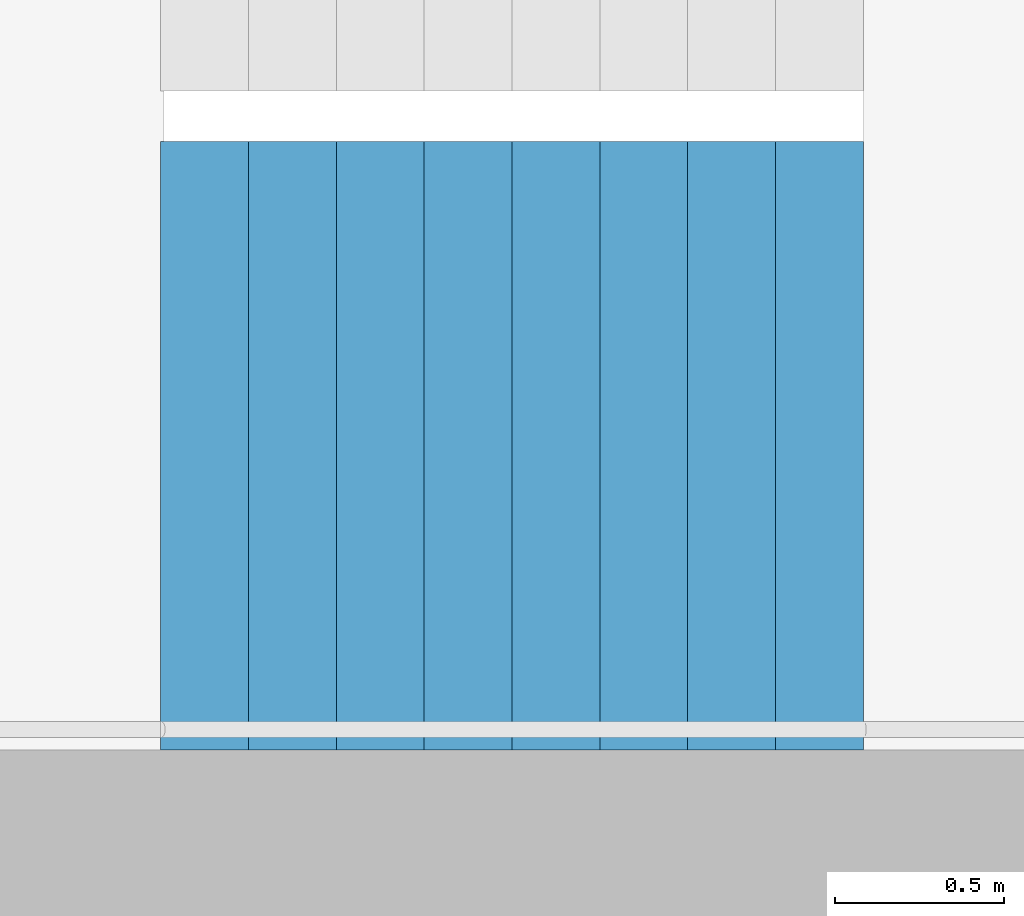
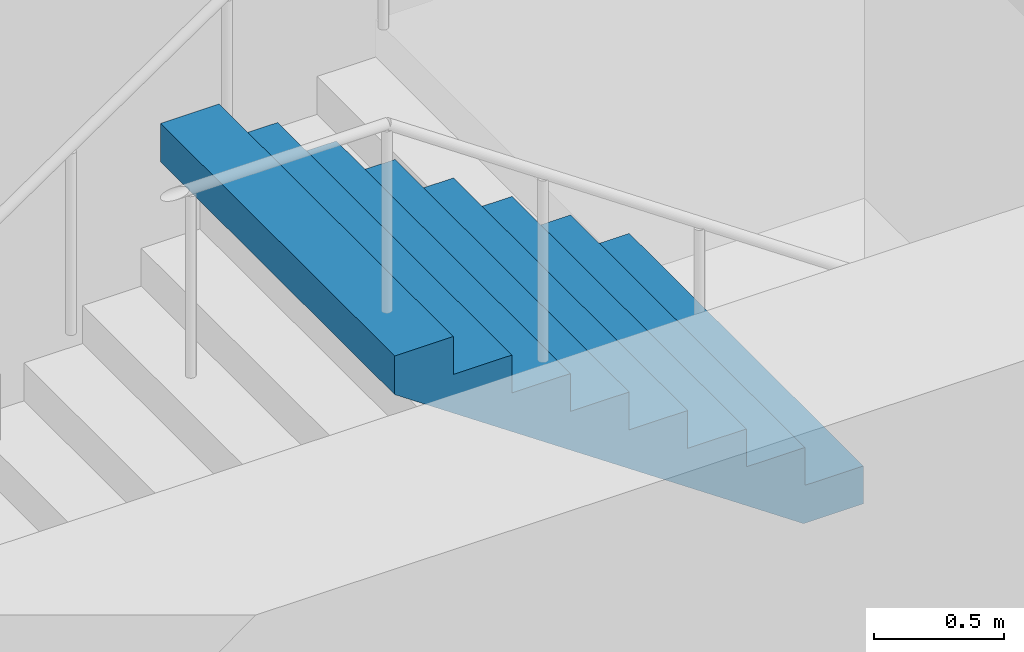
# One storey, part 21 of 25: 1 stair flight, 1 element without a shape of its own.
"""IFC4 building model written with IfcOpenShell, lengths in metres."""

from ifc_helpers import new_model, si_unit, direction, frame, origin, place, context, subcontext, project, spatial, triangles, material, type_object, element, aggregate, save


model = new_model("IFC4")

# Units and contexts
model_context = context("Model", 3, precision=1e-05, world=origin(), true_north=direction((0.0, 1.0)))
body_context = subcontext(model_context, "Body", "Model", "MODEL_VIEW")
ifc_project = project(units=[si_unit("LENGTHUNIT", "METRE"), si_unit("AREAUNIT", "SQUARE_METRE"), si_unit("VOLUMEUNIT", "CUBIC_METRE"), si_unit("PLANEANGLEUNIT", "RADIAN"), si_unit("MASSUNIT", "GRAM", prefix="KILO")], contexts=[model_context])

# Site, building, storey
site_placement = place(None, origin())
site = spatial("IfcSite", under=ifc_project, at=site_placement, CompositionType="ELEMENT")
building_placement = place(site_placement, origin())
building = spatial("IfcBuilding", under=site, at=building_placement, Name="Hakoniwa Tower and Hamabe Station Hall", CompositionType="ELEMENT")
storey_placement = place(building_placement, frame((0.0, 0.0, 186.60009765625)))
storey = spatial("IfcBuildingStorey", under=building, at=storey_placement, Name="L52", CompositionType="ELEMENT", Elevation=186.60009765625)

# Stair, stair flight
ifc_material_1 = material(Name="Concrete C40", Category="concrete")
stair_type = type_object("IfcStairType", Name="ESCAPE STAIR 1800", PredefinedType="HALF_TURN_STAIR", material=ifc_material_1)
stair_placement = place(storey_placement, origin())
stair = element("IfcStair", 1, at=stair_placement, inside=storey, type_object=stair_type, Name="Escape stair ST-4 L52", PredefinedType="HALF_TURN_STAIR")
ifc_material_2 = material(Name="Concrete C40", Category="concrete")
stair_flight_type = type_object("IfcStairFlightType", Name="STAIR FLIGHT 1800", PredefinedType="STRAIGHT", material=ifc_material_2)
stair_flight_placement = place(storey_placement, frame((25.47998046875, -6.60009765625, 1.599853515625), z_axis=(0.0, 0.0, 1.0), x_axis=(-1.0, 0.0, 0.0)))
stair_flight = element("IfcStairFlight", 2, at=stair_flight_placement, type_object=stair_flight_type, Name="ST-4 flight 2", NumberOfRisers=9, NumberOfTreads=8, PredefinedType="STRAIGHT", RiserHeight=0.177777778, TreadLength=0.26, context=body_context, shape_type="Tessellation", body=[
    triangles([(0.0, 0.89990234375, 0.0), (0.260009765625, 0.89990234375, 0.0), (0.265625, 0.89990234375, 0.0), (0.52001953125, 0.89990234375, 0.174072265625), (0.780029296875, 0.89990234375, 0.351806640625), (1.0400390625, 0.89990234375, 0.529541015625), (1.300048828125, 0.89990234375, 0.707275390625), (1.56005859375, 0.89990234375, 0.885009765625), (1.820068359375, 0.89990234375, 1.062744140625), (2.080078125, 0.89990234375, 1.24072265625), (2.080078125, 0.89990234375, 1.422119140625), (1.820068359375, 0.89990234375, 1.422119140625), (1.820068359375, 0.89990234375, 1.244384765625), (1.56005859375, 0.89990234375, 1.244384765625), (1.56005859375, 0.89990234375, 1.066650390625), (1.300048828125, 0.89990234375, 1.066650390625), (1.300048828125, 0.89990234375, 0.888916015625), (1.0400390625, 0.89990234375, 0.888916015625), (1.0400390625, 0.89990234375, 0.711181640625), (0.780029296875, 0.89990234375, 0.711181640625), (0.780029296875, 0.89990234375, 0.533447265625), (0.52001953125, 0.89990234375, 0.533447265625), (0.52001953125, 0.89990234375, 0.35546875), (0.265625, 0.89990234375, 0.35546875), (0.260009765625, 0.89990234375, 0.35546875), (0.260009765625, 0.89990234375, 0.177734375), (0.0, 0.89990234375, 0.177734375), (0.0, 0.06005859375, 0.0), (0.260009765625, 0.06005859375, 0.0), (0.265625, 0.06005859375, 0.0), (0.52001953125, 0.06005859375, 0.174072265625), (0.780029296875, 0.06005859375, 0.351806640625), (1.0400390625, 0.06005859375, 0.529541015625), (1.300048828125, 0.06005859375, 0.707275390625), (1.56005859375, 0.06005859375, 0.885009765625), (1.820068359375, 0.06005859375, 1.062744140625), (2.080078125, 0.06005859375, 1.24072265625), (2.080078125, 0.06005859375, 1.422119140625), (1.820068359375, 0.06005859375, 1.422119140625), (1.820068359375, 0.06005859375, 1.244384765625), (1.56005859375, 0.06005859375, 1.244384765625), (1.56005859375, 0.06005859375, 1.066650390625), (1.300048828125, 0.06005859375, 1.066650390625), (1.300048828125, 0.06005859375, 0.888916015625), (1.0400390625, 0.06005859375, 0.888916015625), (1.0400390625, 0.06005859375, 0.711181640625), (0.780029296875, 0.06005859375, 0.711181640625), (0.780029296875, 0.06005859375, 0.533447265625), (0.52001953125, 0.06005859375, 0.533447265625), (0.52001953125, 0.06005859375, 0.35546875), (0.265625, 0.06005859375, 0.35546875), (0.260009765625, 0.06005859375, 0.35546875), (0.260009765625, 0.06005859375, 0.177734375), (0.0, 0.06005859375, 0.177734375), (0.0, 0.04296875, 0.0), (0.260009765625, 0.04296875, 0.0), (0.265625, 0.04296875, 0.0), (0.52001953125, 0.04296875, 0.174072265625), (0.780029296875, 0.04296875, 0.351806640625), (1.0400390625, 0.04296875, 0.529541015625), (1.300048828125, 0.04296875, 0.707275390625), (1.56005859375, 0.04296875, 0.885009765625), (1.820068359375, 0.04296875, 1.062744140625), (2.080078125, 0.04296875, 1.24072265625), (2.080078125, 0.04296875, 1.422119140625), (1.820068359375, 0.04296875, 1.422119140625), (1.820068359375, 0.04296875, 1.244384765625), (1.56005859375, 0.04296875, 1.244384765625), (1.56005859375, 0.04296875, 1.066650390625), (1.300048828125, 0.04296875, 1.066650390625), (1.300048828125, 0.04296875, 0.888916015625), (1.0400390625, 0.04296875, 0.888916015625), (1.0400390625, 0.04296875, 0.711181640625), (0.780029296875, 0.04296875, 0.711181640625), (0.780029296875, 0.04296875, 0.533447265625), (0.52001953125, 0.04296875, 0.533447265625), (0.52001953125, 0.04296875, 0.35546875), (0.265625, 0.04296875, 0.35546875), (0.260009765625, 0.04296875, 0.35546875), (0.260009765625, 0.04296875, 0.177734375), (0.0, 0.04296875, 0.177734375), (0.0, 0.025634765625, 0.0), (0.260009765625, 0.025634765625, 0.0), (0.265625, 0.025634765625, 0.0), (0.52001953125, 0.025634765625, 0.174072265625), (0.780029296875, 0.025634765625, 0.351806640625), (1.0400390625, 0.025634765625, 0.529541015625), (1.300048828125, 0.025634765625, 0.707275390625), (1.56005859375, 0.025634765625, 0.885009765625), (1.820068359375, 0.025634765625, 1.062744140625), (2.080078125, 0.025634765625, 1.24072265625), (2.080078125, 0.025634765625, 1.422119140625), (1.820068359375, 0.025634765625, 1.422119140625), (1.820068359375, 0.025634765625, 1.244384765625), (1.56005859375, 0.025634765625, 1.244384765625), (1.56005859375, 0.025634765625, 1.066650390625), (1.300048828125, 0.025634765625, 1.066650390625), (1.300048828125, 0.025634765625, 0.888916015625), (1.0400390625, 0.025634765625, 0.888916015625), (1.0400390625, 0.025634765625, 0.711181640625), (0.780029296875, 0.025634765625, 0.711181640625), (0.780029296875, 0.025634765625, 0.533447265625), (0.52001953125, 0.025634765625, 0.533447265625), (0.52001953125, 0.025634765625, 0.35546875), (0.265625, 0.025634765625, 0.35546875), (0.260009765625, 0.025634765625, 0.35546875), (0.260009765625, 0.025634765625, 0.177734375), (0.0, 0.025634765625, 0.177734375), (0.0, 0.008544921875, 0.0), (0.260009765625, 0.008544921875, 0.0), (0.265625, 0.008544921875, 0.0), (0.52001953125, 0.008544921875, 0.174072265625), (0.780029296875, 0.008544921875, 0.351806640625), (1.0400390625, 0.008544921875, 0.529541015625), (1.300048828125, 0.008544921875, 0.707275390625), (1.56005859375, 0.008544921875, 0.885009765625), (1.820068359375, 0.008544921875, 1.062744140625), (2.080078125, 0.008544921875, 1.24072265625), (2.080078125, 0.008544921875, 1.422119140625), (1.820068359375, 0.008544921875, 1.422119140625), (1.820068359375, 0.008544921875, 1.244384765625), (1.56005859375, 0.008544921875, 1.244384765625), (1.56005859375, 0.008544921875, 1.066650390625), (1.300048828125, 0.008544921875, 1.066650390625), (1.300048828125, 0.008544921875, 0.888916015625), (1.0400390625, 0.008544921875, 0.888916015625), (1.0400390625, 0.008544921875, 0.711181640625), (0.780029296875, 0.008544921875, 0.711181640625), (0.780029296875, 0.008544921875, 0.533447265625), (0.52001953125, 0.008544921875, 0.533447265625), (0.52001953125, 0.008544921875, 0.35546875), (0.265625, 0.008544921875, 0.35546875), (0.260009765625, 0.008544921875, 0.35546875), (0.260009765625, 0.008544921875, 0.177734375), (0.0, 0.008544921875, 0.177734375), (0.0, -0.008544921875, 0.0), (0.260009765625, -0.008544921875, 0.0), (0.265625, -0.008544921875, 0.0), (0.52001953125, -0.008544921875, 0.174072265625), (0.780029296875, -0.008544921875, 0.351806640625), (1.0400390625, -0.008544921875, 0.529541015625), (1.300048828125, -0.008544921875, 0.707275390625), (1.56005859375, -0.008544921875, 0.885009765625), (1.820068359375, -0.008544921875, 1.062744140625), (2.080078125, -0.008544921875, 1.24072265625), (2.080078125, -0.008544921875, 1.422119140625), (1.820068359375, -0.008544921875, 1.422119140625), (1.820068359375, -0.008544921875, 1.244384765625), (1.56005859375, -0.008544921875, 1.244384765625), (1.56005859375, -0.008544921875, 1.066650390625), (1.300048828125, -0.008544921875, 1.066650390625), (1.300048828125, -0.008544921875, 0.888916015625), (1.0400390625, -0.008544921875, 0.888916015625), (1.0400390625, -0.008544921875, 0.711181640625), (0.780029296875, -0.008544921875, 0.711181640625), (0.780029296875, -0.008544921875, 0.533447265625), (0.52001953125, -0.008544921875, 0.533447265625), (0.52001953125, -0.008544921875, 0.35546875), (0.265625, -0.008544921875, 0.35546875), (0.260009765625, -0.008544921875, 0.35546875), (0.260009765625, -0.008544921875, 0.177734375), (0.0, -0.008544921875, 0.177734375), (0.0, -0.025634765625, 0.0), (0.260009765625, -0.025634765625, 0.0), (0.265625, -0.025634765625, 0.0), (0.52001953125, -0.025634765625, 0.174072265625), (0.780029296875, -0.025634765625, 0.351806640625), (1.0400390625, -0.025634765625, 0.529541015625), (1.300048828125, -0.025634765625, 0.707275390625), (1.56005859375, -0.025634765625, 0.885009765625), (1.820068359375, -0.025634765625, 1.062744140625), (2.080078125, -0.025634765625, 1.24072265625), (2.080078125, -0.025634765625, 1.422119140625), (1.820068359375, -0.025634765625, 1.422119140625), (1.820068359375, -0.025634765625, 1.244384765625), (1.56005859375, -0.025634765625, 1.244384765625), (1.56005859375, -0.025634765625, 1.066650390625), (1.300048828125, -0.025634765625, 1.066650390625), (1.300048828125, -0.025634765625, 0.888916015625), (1.0400390625, -0.025634765625, 0.888916015625), (1.0400390625, -0.025634765625, 0.711181640625), (0.780029296875, -0.025634765625, 0.711181640625), (0.780029296875, -0.025634765625, 0.533447265625), (0.52001953125, -0.025634765625, 0.533447265625), (0.52001953125, -0.025634765625, 0.35546875), (0.265625, -0.025634765625, 0.35546875), (0.260009765625, -0.025634765625, 0.35546875), (0.260009765625, -0.025634765625, 0.177734375), (0.0, -0.025634765625, 0.177734375), (0.0, -0.04296875, 0.0), (0.260009765625, -0.04296875, 0.0), (0.265625, -0.04296875, 0.0), (0.52001953125, -0.04296875, 0.174072265625), (0.780029296875, -0.04296875, 0.351806640625), (1.0400390625, -0.04296875, 0.529541015625), (1.300048828125, -0.04296875, 0.707275390625), (1.56005859375, -0.04296875, 0.885009765625), (1.820068359375, -0.04296875, 1.062744140625), (2.080078125, -0.04296875, 1.24072265625), (2.080078125, -0.04296875, 1.422119140625), (1.820068359375, -0.04296875, 1.422119140625), (1.820068359375, -0.04296875, 1.244384765625), (1.56005859375, -0.04296875, 1.244384765625), (1.56005859375, -0.04296875, 1.066650390625), (1.300048828125, -0.04296875, 1.066650390625), (1.300048828125, -0.04296875, 0.888916015625), (1.0400390625, -0.04296875, 0.888916015625), (1.0400390625, -0.04296875, 0.711181640625), (0.780029296875, -0.04296875, 0.711181640625), (0.780029296875, -0.04296875, 0.533447265625), (0.52001953125, -0.04296875, 0.533447265625), (0.52001953125, -0.04296875, 0.35546875), (0.265625, -0.04296875, 0.35546875), (0.260009765625, -0.04296875, 0.35546875), (0.260009765625, -0.04296875, 0.177734375), (0.0, -0.04296875, 0.177734375), (0.0, -0.06005859375, 0.0), (0.260009765625, -0.06005859375, 0.0), (0.265625, -0.06005859375, 0.0), (0.52001953125, -0.06005859375, 0.174072265625), (0.780029296875, -0.06005859375, 0.351806640625), (1.0400390625, -0.06005859375, 0.529541015625), (1.300048828125, -0.06005859375, 0.707275390625), (1.56005859375, -0.06005859375, 0.885009765625), (1.820068359375, -0.06005859375, 1.062744140625), (2.080078125, -0.06005859375, 1.24072265625), (2.080078125, -0.06005859375, 1.422119140625), (1.820068359375, -0.06005859375, 1.422119140625), (1.820068359375, -0.06005859375, 1.244384765625), (1.56005859375, -0.06005859375, 1.244384765625), (1.56005859375, -0.06005859375, 1.066650390625), (1.300048828125, -0.06005859375, 1.066650390625), (1.300048828125, -0.06005859375, 0.888916015625), (1.0400390625, -0.06005859375, 0.888916015625), (1.0400390625, -0.06005859375, 0.711181640625), (0.780029296875, -0.06005859375, 0.711181640625), (0.780029296875, -0.06005859375, 0.533447265625), (0.52001953125, -0.06005859375, 0.533447265625), (0.52001953125, -0.06005859375, 0.35546875), (0.265625, -0.06005859375, 0.35546875), (0.260009765625, -0.06005859375, 0.35546875), (0.260009765625, -0.06005859375, 0.177734375), (0.0, -0.06005859375, 0.177734375), (0.0, -0.89990234375, 0.0), (0.260009765625, -0.89990234375, 0.0), (0.265625, -0.89990234375, 0.0), (0.52001953125, -0.89990234375, 0.174072265625), (0.780029296875, -0.89990234375, 0.351806640625), (1.0400390625, -0.89990234375, 0.529541015625), (1.300048828125, -0.89990234375, 0.707275390625), (1.56005859375, -0.89990234375, 0.885009765625), (1.820068359375, -0.89990234375, 1.062744140625), (2.080078125, -0.89990234375, 1.24072265625), (2.080078125, -0.89990234375, 1.422119140625), (1.820068359375, -0.89990234375, 1.422119140625), (1.820068359375, -0.89990234375, 1.244384765625), (1.56005859375, -0.89990234375, 1.244384765625), (1.56005859375, -0.89990234375, 1.066650390625), (1.300048828125, -0.89990234375, 1.066650390625), (1.300048828125, -0.89990234375, 0.888916015625), (1.0400390625, -0.89990234375, 0.888916015625), (1.0400390625, -0.89990234375, 0.711181640625), (0.780029296875, -0.89990234375, 0.711181640625), (0.780029296875, -0.89990234375, 0.533447265625), (0.52001953125, -0.89990234375, 0.533447265625), (0.52001953125, -0.89990234375, 0.35546875), (0.265625, -0.89990234375, 0.35546875), (0.260009765625, -0.89990234375, 0.35546875), (0.260009765625, -0.89990234375, 0.177734375), (0.0, -0.89990234375, 0.177734375)], [[2, 27, 26], [245, 269, 270], [2, 1, 27], [245, 270, 244], [3, 25, 24], [246, 267, 268], [3, 26, 25], [246, 268, 269], [3, 2, 26], [246, 269, 245], [4, 24, 23], [247, 266, 267], [4, 3, 24], [247, 267, 246], [5, 22, 21], [248, 264, 265], [5, 23, 22], [248, 265, 266], [5, 4, 23], [248, 266, 247], [6, 20, 19], [249, 262, 263], [6, 21, 20], [249, 263, 264], [6, 5, 21], [249, 264, 248], [7, 18, 17], [250, 260, 261], [7, 19, 18], [250, 261, 262], [7, 6, 19], [250, 262, 249], [8, 16, 15], [251, 258, 259], [8, 17, 16], [251, 259, 260], [8, 7, 17], [251, 260, 250], [9, 14, 13], [252, 256, 257], [9, 15, 14], [252, 257, 258], [9, 8, 15], [252, 258, 251], [10, 12, 11], [253, 254, 255], [10, 13, 12], [253, 255, 256], [10, 9, 13], [253, 256, 252], [1, 2, 29], [1, 29, 28], [28, 29, 56], [28, 56, 55], [55, 56, 83], [55, 83, 82], [82, 83, 110], [82, 110, 109], [109, 110, 137], [109, 137, 136], [136, 137, 164], [136, 164, 163], [163, 164, 191], [163, 191, 190], [190, 191, 218], [190, 218, 217], [217, 218, 245], [217, 245, 244], [2, 3, 30], [2, 30, 29], [29, 30, 57], [29, 57, 56], [56, 57, 84], [56, 84, 83], [83, 84, 111], [83, 111, 110], [110, 111, 138], [110, 138, 137], [137, 138, 165], [137, 165, 164], [164, 165, 192], [164, 192, 191], [191, 192, 219], [191, 219, 218], [218, 219, 246], [218, 246, 245], [3, 4, 31], [3, 31, 30], [30, 31, 58], [30, 58, 57], [57, 58, 85], [57, 85, 84], [84, 85, 112], [84, 112, 111], [111, 112, 139], [111, 139, 138], [138, 139, 166], [138, 166, 165], [165, 166, 193], [165, 193, 192], [192, 193, 220], [192, 220, 219], [219, 220, 247], [219, 247, 246], [4, 5, 32], [4, 32, 31], [31, 32, 59], [31, 59, 58], [58, 59, 86], [58, 86, 85], [85, 86, 113], [85, 113, 112], [112, 113, 140], [112, 140, 139], [139, 140, 167], [139, 167, 166], [166, 167, 194], [166, 194, 193], [193, 194, 221], [193, 221, 220], [220, 221, 248], [220, 248, 247], [5, 6, 33], [5, 33, 32], [32, 33, 60], [32, 60, 59], [59, 60, 87], [59, 87, 86], [86, 87, 114], [86, 114, 113], [113, 114, 141], [113, 141, 140], [140, 141, 168], [140, 168, 167], [167, 168, 195], [167, 195, 194], [194, 195, 222], [194, 222, 221], [221, 222, 249], [221, 249, 248], [6, 7, 34], [6, 34, 33], [33, 34, 61], [33, 61, 60], [60, 61, 88], [60, 88, 87], [87, 88, 115], [87, 115, 114], [114, 115, 142], [114, 142, 141], [141, 142, 169], [141, 169, 168], [168, 169, 196], [168, 196, 195], [195, 196, 223], [195, 223, 222], [222, 223, 250], [222, 250, 249], [7, 8, 35], [7, 35, 34], [34, 35, 62], [34, 62, 61], [61, 62, 89], [61, 89, 88], [88, 89, 116], [88, 116, 115], [115, 116, 143], [115, 143, 142], [142, 143, 170], [142, 170, 169], [169, 170, 197], [169, 197, 196], [196, 197, 224], [196, 224, 223], [223, 224, 251], [223, 251, 250], [8, 9, 36], [8, 36, 35], [35, 36, 63], [35, 63, 62], [62, 63, 90], [62, 90, 89], [89, 90, 117], [89, 117, 116], [116, 117, 144], [116, 144, 143], [143, 144, 171], [143, 171, 170], [170, 171, 198], [170, 198, 197], [197, 198, 225], [197, 225, 224], [224, 225, 252], [224, 252, 251], [9, 10, 37], [9, 37, 36], [36, 37, 64], [36, 64, 63], [63, 64, 91], [63, 91, 90], [90, 91, 118], [90, 118, 117], [117, 118, 145], [117, 145, 144], [144, 145, 172], [144, 172, 171], [171, 172, 199], [171, 199, 198], [198, 199, 226], [198, 226, 225], [225, 226, 253], [225, 253, 252], [10, 11, 38], [10, 38, 37], [37, 38, 65], [37, 65, 64], [64, 65, 92], [64, 92, 91], [91, 92, 119], [91, 119, 118], [118, 119, 146], [118, 146, 145], [145, 146, 173], [145, 173, 172], [172, 173, 200], [172, 200, 199], [199, 200, 227], [199, 227, 226], [226, 227, 254], [226, 254, 253], [11, 12, 39], [11, 39, 38], [38, 39, 66], [38, 66, 65], [65, 66, 93], [65, 93, 92], [92, 93, 120], [92, 120, 119], [119, 120, 147], [119, 147, 146], [146, 147, 174], [146, 174, 173], [173, 174, 201], [173, 201, 200], [200, 201, 228], [200, 228, 227], [227, 228, 255], [227, 255, 254], [12, 13, 40], [12, 40, 39], [39, 40, 67], [39, 67, 66], [66, 67, 94], [66, 94, 93], [93, 94, 121], [93, 121, 120], [120, 121, 148], [120, 148, 147], [147, 148, 175], [147, 175, 174], [174, 175, 202], [174, 202, 201], [201, 202, 229], [201, 229, 228], [228, 229, 256], [228, 256, 255], [13, 14, 41], [13, 41, 40], [40, 41, 68], [40, 68, 67], [67, 68, 95], [67, 95, 94], [94, 95, 122], [94, 122, 121], [121, 122, 149], [121, 149, 148], [148, 149, 176], [148, 176, 175], [175, 176, 203], [175, 203, 202], [202, 203, 230], [202, 230, 229], [229, 230, 257], [229, 257, 256], [14, 15, 42], [14, 42, 41], [41, 42, 69], [41, 69, 68], [68, 69, 96], [68, 96, 95], [95, 96, 123], [95, 123, 122], [122, 123, 150], [122, 150, 149], [149, 150, 177], [149, 177, 176], [176, 177, 204], [176, 204, 203], [203, 204, 231], [203, 231, 230], [230, 231, 258], [230, 258, 257], [15, 16, 43], [15, 43, 42], [42, 43, 70], [42, 70, 69], [69, 70, 97], [69, 97, 96], [96, 97, 124], [96, 124, 123], [123, 124, 151], [123, 151, 150], [150, 151, 178], [150, 178, 177], [177, 178, 205], [177, 205, 204], [204, 205, 232], [204, 232, 231], [231, 232, 259], [231, 259, 258], [16, 17, 44], [16, 44, 43], [43, 44, 71], [43, 71, 70], [70, 71, 98], [70, 98, 97], [97, 98, 125], [97, 125, 124], [124, 125, 152], [124, 152, 151], [151, 152, 179], [151, 179, 178], [178, 179, 206], [178, 206, 205], [205, 206, 233], [205, 233, 232], [232, 233, 260], [232, 260, 259], [17, 18, 45], [17, 45, 44], [44, 45, 72], [44, 72, 71], [71, 72, 99], [71, 99, 98], [98, 99, 126], [98, 126, 125], [125, 126, 153], [125, 153, 152], [152, 153, 180], [152, 180, 179], [179, 180, 207], [179, 207, 206], [206, 207, 234], [206, 234, 233], [233, 234, 261], [233, 261, 260], [18, 19, 46], [18, 46, 45], [45, 46, 73], [45, 73, 72], [72, 73, 100], [72, 100, 99], [99, 100, 127], [99, 127, 126], [126, 127, 154], [126, 154, 153], [153, 154, 181], [153, 181, 180], [180, 181, 208], [180, 208, 207], [207, 208, 235], [207, 235, 234], [234, 235, 262], [234, 262, 261], [19, 20, 47], [19, 47, 46], [46, 47, 74], [46, 74, 73], [73, 74, 101], [73, 101, 100], [100, 101, 128], [100, 128, 127], [127, 128, 155], [127, 155, 154], [154, 155, 182], [154, 182, 181], [181, 182, 209], [181, 209, 208], [208, 209, 236], [208, 236, 235], [235, 236, 263], [235, 263, 262], [20, 21, 48], [20, 48, 47], [47, 48, 75], [47, 75, 74], [74, 75, 102], [74, 102, 101], [101, 102, 129], [101, 129, 128], [128, 129, 156], [128, 156, 155], [155, 156, 183], [155, 183, 182], [182, 183, 210], [182, 210, 209], [209, 210, 237], [209, 237, 236], [236, 237, 264], [236, 264, 263], [21, 22, 49], [21, 49, 48], [48, 49, 76], [48, 76, 75], [75, 76, 103], [75, 103, 102], [102, 103, 130], [102, 130, 129], [129, 130, 157], [129, 157, 156], [156, 157, 184], [156, 184, 183], [183, 184, 211], [183, 211, 210], [210, 211, 238], [210, 238, 237], [237, 238, 265], [237, 265, 264], [22, 23, 50], [22, 50, 49], [49, 50, 77], [49, 77, 76], [76, 77, 104], [76, 104, 103], [103, 104, 131], [103, 131, 130], [130, 131, 158], [130, 158, 157], [157, 158, 185], [157, 185, 184], [184, 185, 212], [184, 212, 211], [211, 212, 239], [211, 239, 238], [238, 239, 266], [238, 266, 265], [23, 24, 51], [23, 51, 50], [50, 51, 78], [50, 78, 77], [77, 78, 105], [77, 105, 104], [104, 105, 132], [104, 132, 131], [131, 132, 159], [131, 159, 158], [158, 159, 186], [158, 186, 185], [185, 186, 213], [185, 213, 212], [212, 213, 240], [212, 240, 239], [239, 240, 267], [239, 267, 266], [24, 25, 52], [24, 52, 51], [51, 52, 79], [51, 79, 78], [78, 79, 106], [78, 106, 105], [105, 106, 133], [105, 133, 132], [132, 133, 160], [132, 160, 159], [159, 160, 187], [159, 187, 186], [186, 187, 214], [186, 214, 213], [213, 214, 241], [213, 241, 240], [240, 241, 268], [240, 268, 267], [25, 26, 53], [25, 53, 52], [52, 53, 80], [52, 80, 79], [79, 80, 107], [79, 107, 106], [106, 107, 134], [106, 134, 133], [133, 134, 161], [133, 161, 160], [160, 161, 188], [160, 188, 187], [187, 188, 215], [187, 215, 214], [214, 215, 242], [214, 242, 241], [241, 242, 269], [241, 269, 268], [26, 27, 54], [26, 54, 53], [53, 54, 81], [53, 81, 80], [80, 81, 108], [80, 108, 107], [107, 108, 135], [107, 135, 134], [134, 135, 162], [134, 162, 161], [161, 162, 189], [161, 189, 188], [188, 189, 216], [188, 216, 215], [215, 216, 243], [215, 243, 242], [242, 243, 270], [242, 270, 269], [27, 1, 28], [27, 28, 54], [54, 28, 55], [54, 55, 81], [81, 55, 82], [81, 82, 108], [108, 82, 109], [108, 109, 135], [135, 109, 136], [135, 136, 162], [162, 136, 163], [162, 163, 189], [189, 163, 190], [189, 190, 216], [216, 190, 217], [216, 217, 243], [243, 217, 244], [243, 244, 270]], closed=True),
])
aggregate(stair, [stair_flight])

save(model, "model.ifc")
